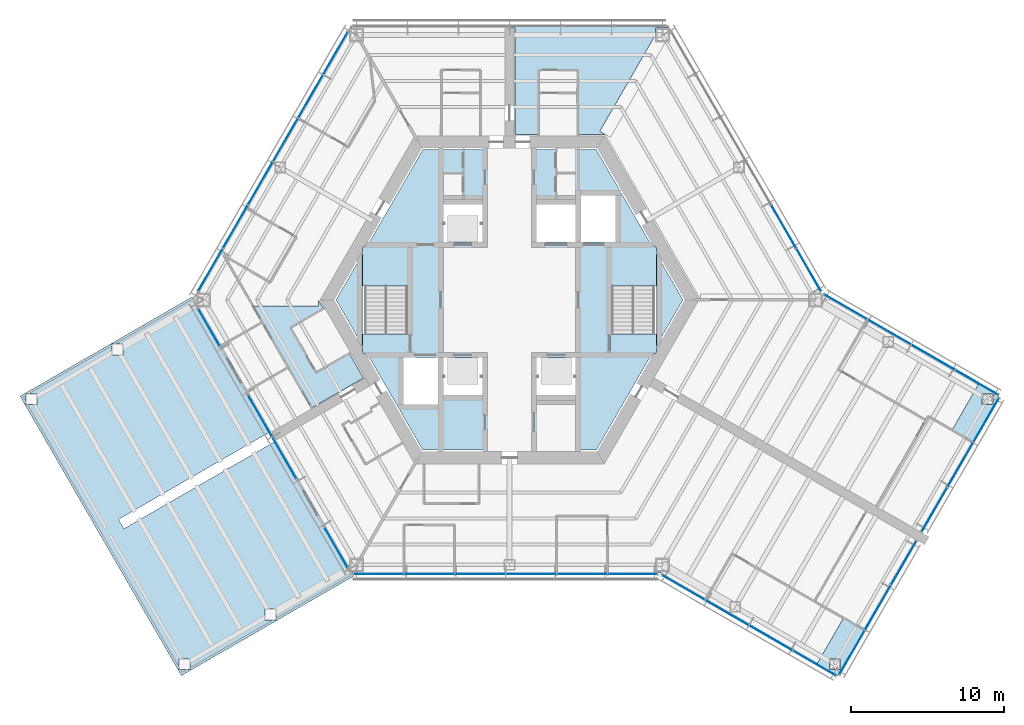
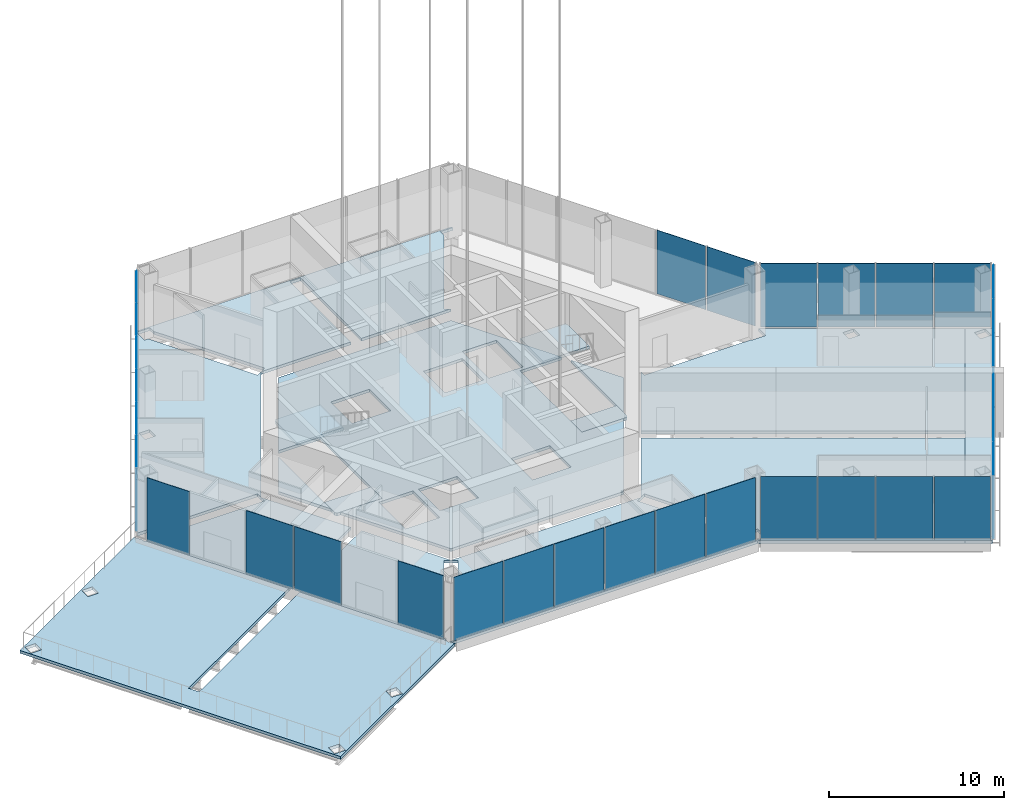
# One storey, part 6 of 17: 32 plates, 15 slabs, 12 elements without a shape of their own.
"""IFC4 building model written with IfcOpenShell, lengths in metres."""

from ifc_helpers import new_model, si_unit, direction, frame, origin, origin_2d, place, context, subcontext, project, spatial, polyline, rectangle, outline, extrude, material, layer, layer_set, type_object, element, aggregate, save


model = new_model("IFC4")

# Units and contexts
model_context = context("Model", 3, precision=1e-05, world=origin(), true_north=direction((0.0, 1.0)))
body_context = subcontext(model_context, "Body", "Model", "MODEL_VIEW")
ifc_project = project(units=[si_unit("LENGTHUNIT", "METRE"), si_unit("AREAUNIT", "SQUARE_METRE"), si_unit("VOLUMEUNIT", "CUBIC_METRE"), si_unit("PLANEANGLEUNIT", "RADIAN"), si_unit("MASSUNIT", "GRAM", prefix="KILO")], contexts=[model_context])

# Site, building, storey
site_placement = place(None, origin())
site = spatial("IfcSite", under=ifc_project, at=site_placement, CompositionType="ELEMENT")
building_placement = place(site_placement, origin())
building = spatial("IfcBuilding", under=site, at=building_placement, Name="Kasaneha Research Tower", CompositionType="ELEMENT")
storey_placement = place(building_placement, frame((0.0, 0.0, 208.300048828125)))
storey = spatial("IfcBuildingStorey", under=building, at=storey_placement, Name="L52", CompositionType="ELEMENT", Elevation=208.300048828125)

# Curtain wall, plates
ifc_material_1 = material(Name="Glass and aluminium", Category="aluminium")
curtain_wall_type = type_object("IfcCurtainWallType", Name="Sky lobby curtain wall", PredefinedType="USERDEFINED", material=ifc_material_1)
curtain_wall_1_placement = place(storey_placement, origin())
curtain_wall_1 = element("IfcCurtainWall", 1, at=curtain_wall_1_placement, inside=storey, type_object=curtain_wall_type, Name="CW-S L52 run 01a", ObjectType="UNITISED CURTAIN WALL", PredefinedType="USERDEFINED")
ifc_material_2 = material(Name="Laminated double glazing", Category="glass")
ifc_layer_1 = layer(ifc_material_2, 0.030029296875)
ifc_layer_set_1 = layer_set([ifc_layer_1], Name="CW-S glazed panel")
plate_type = type_object("IfcPlateType", Name="CW-S glazed panel", PredefinedType="CURTAIN_PANEL", material=ifc_layer_set_1)
plate_1_placement = place(storey_placement, frame((19.56103515625, 1.96044921875, 0.06982421875), z_axis=(0.0, 0.0, 1.0), x_axis=(-0.499999979232, 0.866025415775, 0.0)))
plate_1 = element("IfcPlate", 2, at=plate_1_placement, type_object=plate_type, Name="CW-S panel 1", PredefinedType="CURTAIN_PANEL", context=body_context, shape_type="SweptSolid", body=[
    extrude(rectangle(XDim=3.173095703125, YDim=0.030029296875, at=origin_2d()), origin(), (0.0, 0.0, 1.0), 4.429931640625),
])
plate_2_placement = place(storey_placement, frame((17.9306640625, 4.7841796875, 0.06982421875), z_axis=(0.0, 0.0, 1.0), x_axis=(-0.499999979232, 0.866025415775, 0.0)))
plate_2 = element("IfcPlate", 3, at=plate_2_placement, type_object=plate_type, Name="CW-S panel 2", PredefinedType="CURTAIN_PANEL", context=body_context, shape_type="SweptSolid", body=[
    extrude(rectangle(XDim=3.2080078125, YDim=0.030029296875, at=origin_2d()), origin(), (0.0, 0.0, 1.0), 4.429931640625),
])
aggregate(curtain_wall_1, [plate_1, plate_2])

curtain_wall_2_placement = place(storey_placement, origin())
curtain_wall_2 = element("IfcCurtainWall", 4, at=curtain_wall_2_placement, inside=storey, type_object=curtain_wall_type, Name="CW-S L52 run 03a", ObjectType="UNITISED CURTAIN WALL", PredefinedType="USERDEFINED")
plate_3_placement = place(storey_placement, frame((-11.3837890625, 16.1240234375, 0.06982421875), z_axis=(0.0, 0.0, 1.0), x_axis=(-0.499999995722, -0.866025406254, 0.0)))
plate_3 = element("IfcPlate", 5, at=plate_3_placement, type_object=plate_type, Name="CW-S panel 1", PredefinedType="CURTAIN_PANEL", context=body_context, shape_type="SweptSolid", body=[
    extrude(rectangle(XDim=3.173583984375, YDim=0.030029296875, at=origin_2d()), origin(), (0.0, 0.0, 1.0), 4.429931640625),
])
plate_4_placement = place(storey_placement, frame((-13.01416015625, 13.299560546875, 0.06982421875), z_axis=(0.0, 0.0, 1.0), x_axis=(-0.499999995722, -0.866025406254, 0.0)))
plate_4 = element("IfcPlate", 6, at=plate_4_placement, type_object=plate_type, Name="CW-S panel 2", PredefinedType="CURTAIN_PANEL", context=body_context, shape_type="SweptSolid", body=[
    extrude(rectangle(XDim=3.208740234375, YDim=0.030029296875, at=origin_2d()), origin(), (0.0, 0.0, 1.0), 4.429931640625),
])
plate_5_placement = place(storey_placement, frame((-14.653564453125, 10.460205078125, 0.06982421875), z_axis=(0.0, 0.0, 1.0), x_axis=(-0.499999995722, -0.866025406254, 0.0)))
plate_5 = element("IfcPlate", 7, at=plate_5_placement, type_object=plate_type, Name="CW-S panel 3", PredefinedType="CURTAIN_PANEL", context=body_context, shape_type="SweptSolid", body=[
    extrude(rectangle(XDim=3.208740234375, YDim=0.030029296875, at=origin_2d()), origin(), (0.0, 0.0, 1.0), 4.429931640625),
])
plate_6_placement = place(storey_placement, frame((-16.29296875, 7.620849609375, 0.06982421875), z_axis=(0.0, 0.0, 1.0), x_axis=(-0.499999995722, -0.866025406254, 0.0)))
plate_6 = element("IfcPlate", 8, at=plate_6_placement, type_object=plate_type, Name="CW-S panel 4", PredefinedType="CURTAIN_PANEL", context=body_context, shape_type="SweptSolid", body=[
    extrude(rectangle(XDim=3.208740234375, YDim=0.030029296875, at=origin_2d()), origin(), (0.0, 0.0, 1.0), 4.429931640625),
])
plate_7_placement = place(storey_placement, frame((-17.932373046875, 4.781494140625, 0.06982421875), z_axis=(0.0, 0.0, 1.0), x_axis=(-0.499999995722, -0.866025406254, 0.0)))
plate_7 = element("IfcPlate", 9, at=plate_7_placement, type_object=plate_type, Name="CW-S panel 5", PredefinedType="CURTAIN_PANEL", context=body_context, shape_type="SweptSolid", body=[
    extrude(rectangle(XDim=3.208740234375, YDim=0.030029296875, at=origin_2d()), origin(), (0.0, 0.0, 1.0), 4.429931640625),
])
plate_8_placement = place(storey_placement, frame((-19.562744140625, 1.957275390625, 0.06982421875), z_axis=(0.0, 0.0, 1.0), x_axis=(-0.499999995722, -0.866025406254, 0.0)))
plate_8 = element("IfcPlate", 10, at=plate_8_placement, type_object=plate_type, Name="CW-S panel 6", PredefinedType="CURTAIN_PANEL", context=body_context, shape_type="SweptSolid", body=[
    extrude(rectangle(XDim=3.173583984375, YDim=0.030029296875, at=origin_2d()), origin(), (0.0, 0.0, 1.0), 4.429931640625),
])
aggregate(curtain_wall_2, [plate_3, plate_4, plate_5, plate_6, plate_7, plate_8])

# Curtain wall, plate
curtain_wall_3_placement = place(storey_placement, origin())
curtain_wall_3 = element("IfcCurtainWall", 11, at=curtain_wall_3_placement, inside=storey, type_object=curtain_wall_type, Name="CW-S L52 run 04a", ObjectType="UNITISED CURTAIN WALL", PredefinedType="USERDEFINED")
plate_9_placement = place(storey_placement, frame((-19.655517578125, -1.796875, 0.06982421875), z_axis=(0.0, 0.0, 1.0), x_axis=(0.499999995722, -0.866025406254, 0.0)))
plate_9 = element("IfcPlate", 12, at=plate_9_placement, type_object=plate_type, Name="CW-S panel 1", PredefinedType="CURTAIN_PANEL", context=body_context, shape_type="SweptSolid", body=[
    extrude(rectangle(XDim=2.80322265625, YDim=0.030029296875, at=origin_2d()), origin(), (0.0, 0.0, 1.0), 4.429931640625),
])
aggregate(curtain_wall_3, [plate_9])

# Curtain wall, plates
curtain_wall_4_placement = place(storey_placement, origin())
curtain_wall_4 = element("IfcCurtainWall", 13, at=curtain_wall_4_placement, inside=storey, type_object=curtain_wall_type, Name="CW-S L52 run 04c", ObjectType="UNITISED CURTAIN WALL", PredefinedType="USERDEFINED")
plate_10_placement = place(storey_placement, frame((-16.310791015625, -7.58984375, 0.06982421875), z_axis=(0.0, 0.0, 1.0), x_axis=(0.499999995722, -0.866025406254, 0.0)))
plate_10 = element("IfcPlate", 14, at=plate_10_placement, type_object=plate_type, Name="CW-S panel 1", PredefinedType="CURTAIN_PANEL", context=body_context, shape_type="SweptSolid", body=[
    extrude(rectangle(XDim=3.094970703125, YDim=0.030029296875, at=origin_2d()), origin(), (0.0, 0.0, 1.0), 4.429931640625),
])
plate_11_placement = place(storey_placement, frame((-14.728271484375, -10.330810546875, 0.06982421875), z_axis=(0.0, 0.0, 1.0), x_axis=(0.499999995722, -0.866025406254, 0.0)))
plate_11 = element("IfcPlate", 15, at=plate_11_placement, type_object=plate_type, Name="CW-S panel 2", PredefinedType="CURTAIN_PANEL", context=body_context, shape_type="SweptSolid", body=[
    extrude(rectangle(XDim=3.094970703125, YDim=0.030029296875, at=origin_2d()), origin(), (0.0, 0.0, 1.0), 4.429931640625),
])
aggregate(curtain_wall_4, [plate_10, plate_11])

# Curtain wall, plate
curtain_wall_5_placement = place(storey_placement, origin())
curtain_wall_5 = element("IfcCurtainWall", 16, at=curtain_wall_5_placement, inside=storey, type_object=curtain_wall_type, Name="CW-S L52 run 04e", ObjectType="UNITISED CURTAIN WALL", PredefinedType="USERDEFINED")
plate_12_placement = place(storey_placement, frame((-11.33740234375, -16.2041015625, 0.06982421875), z_axis=(0.0, 0.0, 1.0), x_axis=(0.499999995722, -0.866025406254, 0.0)))
plate_12 = element("IfcPlate", 17, at=plate_12_placement, type_object=plate_type, Name="CW-S panel 1", PredefinedType="CURTAIN_PANEL", context=body_context, shape_type="SweptSolid", body=[
    extrude(rectangle(XDim=2.98876953125, YDim=0.030029296875, at=origin_2d()), origin(), (0.0, 0.0, 1.0), 4.429931640625),
])
aggregate(curtain_wall_5, [plate_12])

# Curtain wall, plates
curtain_wall_6_placement = place(storey_placement, origin())
curtain_wall_6 = element("IfcCurtainWall", 18, at=curtain_wall_6_placement, inside=storey, type_object=curtain_wall_type, Name="CW-S L52 run 05a", ObjectType="UNITISED CURTAIN WALL", PredefinedType="USERDEFINED")
plate_13_placement = place(storey_placement, frame((-8.5634765625, -17.92041015625, 0.06982421875), z_axis=(0.0, 0.0, 1.0), x_axis=(1.0, 0.0, 0.0)))
plate_13 = element("IfcPlate", 19, at=plate_13_placement, type_object=plate_type, Name="CW-S panel 1", PredefinedType="CURTAIN_PANEL", context=body_context, shape_type="SweptSolid", body=[
    extrude(rectangle(XDim=3.225830078125, YDim=0.030029296875, at=origin_2d()), origin(), (0.0, 0.0, 1.0), 4.429931640625),
])
plate_14_placement = place(storey_placement, frame((-5.25, -17.92041015625, 0.06982421875), z_axis=(0.0, 0.0, 1.0), x_axis=(1.0, 0.0, 0.0)))
plate_14 = element("IfcPlate", 20, at=plate_14_placement, type_object=plate_type, Name="CW-S panel 2", PredefinedType="CURTAIN_PANEL", context=body_context, shape_type="SweptSolid", body=[
    extrude(rectangle(XDim=3.260986328125, YDim=0.030029296875, at=origin_2d()), origin(), (0.0, 0.0, 1.0), 4.429931640625),
])
plate_15_placement = place(storey_placement, frame((-1.9189453125, -17.92041015625, 0.06982421875), z_axis=(0.0, 0.0, 1.0), x_axis=(1.0, 0.0, 0.0)))
plate_15 = element("IfcPlate", 21, at=plate_15_placement, type_object=plate_type, Name="CW-S panel 3", PredefinedType="CURTAIN_PANEL", context=body_context, shape_type="SweptSolid", body=[
    extrude(rectangle(XDim=3.260986328125, YDim=0.030029296875, at=origin_2d()), origin(), (0.0, 0.0, 1.0), 4.429931640625),
])
plate_16_placement = place(storey_placement, frame((1.411865234375, -17.92041015625, 0.06982421875), z_axis=(0.0, 0.0, 1.0), x_axis=(1.0, 0.0, 0.0)))
plate_16 = element("IfcPlate", 22, at=plate_16_placement, type_object=plate_type, Name="CW-S panel 4", PredefinedType="CURTAIN_PANEL", context=body_context, shape_type="SweptSolid", body=[
    extrude(rectangle(XDim=3.260986328125, YDim=0.030029296875, at=origin_2d()), origin(), (0.0, 0.0, 1.0), 4.429931640625),
])
plate_17_placement = place(storey_placement, frame((4.742919921875, -17.92041015625, 0.06982421875), z_axis=(0.0, 0.0, 1.0), x_axis=(1.0, 0.0, 0.0)))
plate_17 = element("IfcPlate", 23, at=plate_17_placement, type_object=plate_type, Name="CW-S panel 5", PredefinedType="CURTAIN_PANEL", context=body_context, shape_type="SweptSolid", body=[
    extrude(rectangle(XDim=3.260986328125, YDim=0.030029296875, at=origin_2d()), origin(), (0.0, 0.0, 1.0), 4.429931640625),
])
plate_18_placement = place(storey_placement, frame((8.05615234375, -17.92041015625, 0.06982421875), z_axis=(0.0, 0.0, 1.0), x_axis=(1.0, 0.0, 0.0)))
plate_18 = element("IfcPlate", 24, at=plate_18_placement, type_object=plate_type, Name="CW-S panel 6", PredefinedType="CURTAIN_PANEL", context=body_context, shape_type="SweptSolid", body=[
    extrude(rectangle(XDim=3.225830078125, YDim=0.030029296875, at=origin_2d()), origin(), (0.0, 0.0, 1.0), 4.429931640625),
])
aggregate(curtain_wall_6, [plate_13, plate_14, plate_15, plate_16, plate_17, plate_18])

curtain_wall_7_placement = place(storey_placement, origin())
curtain_wall_7 = element("IfcCurtainWall", 25, at=curtain_wall_7_placement, inside=storey, type_object=curtain_wall_type, Name="CW-S L52 run 06a", ObjectType="UNITISED CURTAIN WALL", PredefinedType="USERDEFINED")
plate_19_placement = place(storey_placement, frame((11.374267578125, -18.806640625, 0.06982421875), z_axis=(0.0, 0.0, 1.0), x_axis=(0.866025411464, -0.499999986699, 0.0)))
plate_19 = element("IfcPlate", 26, at=plate_19_placement, type_object=plate_type, Name="CW-S panel 1", PredefinedType="CURTAIN_PANEL", context=body_context, shape_type="SweptSolid", body=[
    extrude(rectangle(XDim=3.204833984375, YDim=0.030029296875, at=origin_2d()), origin(), (0.0, 0.0, 1.0), 4.429931640625),
])
plate_20_placement = place(storey_placement, frame((14.225341796875, -20.452880859375, 0.06982421875), z_axis=(0.0, 0.0, 1.0), x_axis=(0.866025411464, -0.499999986699, 0.0)))
plate_20 = element("IfcPlate", 27, at=plate_20_placement, type_object=plate_type, Name="CW-S panel 2", PredefinedType="CURTAIN_PANEL", context=body_context, shape_type="SweptSolid", body=[
    extrude(rectangle(XDim=3.23974609375, YDim=0.030029296875, at=origin_2d()), origin(), (0.0, 0.0, 1.0), 4.429931640625),
])
plate_21_placement = place(storey_placement, frame((17.091796875, -22.107666015625, 0.06982421875), z_axis=(0.0, 0.0, 1.0), x_axis=(0.866025411464, -0.499999986699, 0.0)))
plate_21 = element("IfcPlate", 28, at=plate_21_placement, type_object=plate_type, Name="CW-S panel 3", PredefinedType="CURTAIN_PANEL", context=body_context, shape_type="SweptSolid", body=[
    extrude(rectangle(XDim=3.23974609375, YDim=0.030029296875, at=origin_2d()), origin(), (0.0, 0.0, 1.0), 4.429931640625),
])
plate_22_placement = place(storey_placement, frame((19.943115234375, -23.75390625, 0.06982421875), z_axis=(0.0, 0.0, 1.0), x_axis=(0.866025411464, -0.499999986699, 0.0)))
plate_22 = element("IfcPlate", 29, at=plate_22_placement, type_object=plate_type, Name="CW-S panel 4", PredefinedType="CURTAIN_PANEL", context=body_context, shape_type="SweptSolid", body=[
    extrude(rectangle(XDim=3.204833984375, YDim=0.030029296875, at=origin_2d()), origin(), (0.0, 0.0, 1.0), 4.429931640625),
])
aggregate(curtain_wall_7, [plate_19, plate_20, plate_21, plate_22])

curtain_wall_8_placement = place(storey_placement, origin())
curtain_wall_8 = element("IfcCurtainWall", 30, at=curtain_wall_8_placement, inside=storey, type_object=curtain_wall_type, Name="CW-S L52 run 07a", ObjectType="UNITISED CURTAIN WALL", PredefinedType="USERDEFINED")
plate_23_placement = place(storey_placement, frame((22.38671875, -23.066162109375, 0.06982421875), z_axis=(0.0, 0.0, 1.0), x_axis=(0.500000011442, 0.866025397178, 0.0)))
plate_23 = element("IfcPlate", 31, at=plate_23_placement, type_object=plate_type, Name="CW-S panel 1", PredefinedType="CURTAIN_PANEL", context=body_context, shape_type="SweptSolid", body=[
    extrude(rectangle(XDim=3.294921875, YDim=0.030029296875, at=origin_2d()), origin(), (0.0, 0.0, 1.0), 4.429931640625),
])
plate_24_placement = place(storey_placement, frame((24.077880859375, -20.13671875, 0.06982421875), z_axis=(0.0, 0.0, 1.0), x_axis=(0.500000011442, 0.866025397178, 0.0)))
plate_24 = element("IfcPlate", 32, at=plate_24_placement, type_object=plate_type, Name="CW-S panel 2", PredefinedType="CURTAIN_PANEL", context=body_context, shape_type="SweptSolid", body=[
    extrude(rectangle(XDim=3.330078125, YDim=0.030029296875, at=origin_2d()), origin(), (0.0, 0.0, 1.0), 4.429931640625),
])
plate_25_placement = place(storey_placement, frame((25.769287109375, -17.20751953125, 0.06982421875), z_axis=(0.0, 0.0, 1.0), x_axis=(0.500000011442, 0.866025397178, 0.0)))
plate_25 = element("IfcPlate", 33, at=plate_25_placement, type_object=plate_type, Name="CW-S panel 3", PredefinedType="CURTAIN_PANEL", context=body_context, shape_type="SweptSolid", body=[
    extrude(rectangle(XDim=3.294921875, YDim=0.030029296875, at=origin_2d()), origin(), (0.0, 0.0, 1.0), 4.429931640625),
])
aggregate(curtain_wall_8, [plate_23, plate_24, plate_25])

curtain_wall_9_placement = place(storey_placement, origin())
curtain_wall_9 = element("IfcCurtainWall", 34, at=curtain_wall_9_placement, inside=storey, type_object=curtain_wall_type, Name="CW-S L52 run 08a", ObjectType="UNITISED CURTAIN WALL", PredefinedType="USERDEFINED")
plate_26_placement = place(storey_placement, frame((27.78662109375, -13.713134765625, 0.06982421875), z_axis=(0.0, 0.0, 1.0), x_axis=(0.500000011442, 0.866025397178, 0.0)))
plate_26 = element("IfcPlate", 35, at=plate_26_placement, type_object=plate_type, Name="CW-S panel 1", PredefinedType="CURTAIN_PANEL", context=body_context, shape_type="SweptSolid", body=[
    extrude(rectangle(XDim=3.294921875, YDim=0.030029296875, at=origin_2d()), origin(), (0.0, 0.0, 1.0), 4.429931640625),
])
plate_27_placement = place(storey_placement, frame((29.47802734375, -10.78369140625, 0.06982421875), z_axis=(0.0, 0.0, 1.0), x_axis=(0.500000011442, 0.866025397178, 0.0)))
plate_27 = element("IfcPlate", 36, at=plate_27_placement, type_object=plate_type, Name="CW-S panel 2", PredefinedType="CURTAIN_PANEL", context=body_context, shape_type="SweptSolid", body=[
    extrude(rectangle(XDim=3.330078125, YDim=0.030029296875, at=origin_2d()), origin(), (0.0, 0.0, 1.0), 4.429931640625),
])
plate_28_placement = place(storey_placement, frame((31.169189453125, -7.8544921875, 0.06982421875), z_axis=(0.0, 0.0, 1.0), x_axis=(0.500000011442, 0.866025397178, 0.0)))
plate_28 = element("IfcPlate", 37, at=plate_28_placement, type_object=plate_type, Name="CW-S panel 3", PredefinedType="CURTAIN_PANEL", context=body_context, shape_type="SweptSolid", body=[
    extrude(rectangle(XDim=3.294921875, YDim=0.030029296875, at=origin_2d()), origin(), (0.0, 0.0, 1.0), 4.429931640625),
])
aggregate(curtain_wall_9, [plate_26, plate_27, plate_28])

curtain_wall_10_placement = place(storey_placement, origin())
curtain_wall_10 = element("IfcCurtainWall", 38, at=curtain_wall_10_placement, inside=storey, type_object=curtain_wall_type, Name="CW-S L52 run 09a", ObjectType="UNITISED CURTAIN WALL", PredefinedType="USERDEFINED")
plate_29_placement = place(storey_placement, frame((30.54296875, -5.394287109375, 0.06982421875), z_axis=(0.0, 0.0, 1.0), x_axis=(-0.866025411464, 0.499999986699, 0.0)))
plate_29 = element("IfcPlate", 39, at=plate_29_placement, type_object=plate_type, Name="CW-S panel 1", PredefinedType="CURTAIN_PANEL", context=body_context, shape_type="SweptSolid", body=[
    extrude(rectangle(XDim=3.204833984375, YDim=0.030029296875, at=origin_2d()), origin(), (0.0, 0.0, 1.0), 4.429931640625),
])
plate_30_placement = place(storey_placement, frame((27.69189453125, -3.748046875, 0.06982421875), z_axis=(0.0, 0.0, 1.0), x_axis=(-0.866025411464, 0.499999986699, 0.0)))
plate_30 = element("IfcPlate", 40, at=plate_30_placement, type_object=plate_type, Name="CW-S panel 2", PredefinedType="CURTAIN_PANEL", context=body_context, shape_type="SweptSolid", body=[
    extrude(rectangle(XDim=3.23974609375, YDim=0.030029296875, at=origin_2d()), origin(), (0.0, 0.0, 1.0), 4.429931640625),
])
plate_31_placement = place(storey_placement, frame((24.825439453125, -2.093017578125, 0.06982421875), z_axis=(0.0, 0.0, 1.0), x_axis=(-0.866025411464, 0.499999986699, 0.0)))
plate_31 = element("IfcPlate", 41, at=plate_31_placement, type_object=plate_type, Name="CW-S panel 3", PredefinedType="CURTAIN_PANEL", context=body_context, shape_type="SweptSolid", body=[
    extrude(rectangle(XDim=3.23974609375, YDim=0.030029296875, at=origin_2d()), origin(), (0.0, 0.0, 1.0), 4.429931640625),
])
plate_32_placement = place(storey_placement, frame((21.97412109375, -0.447021484375, 0.06982421875), z_axis=(0.0, 0.0, 1.0), x_axis=(-0.866025411464, 0.499999986699, 0.0)))
plate_32 = element("IfcPlate", 42, at=plate_32_placement, type_object=plate_type, Name="CW-S panel 4", PredefinedType="CURTAIN_PANEL", context=body_context, shape_type="SweptSolid", body=[
    extrude(rectangle(XDim=3.204833984375, YDim=0.030029296875, at=origin_2d()), origin(), (0.0, 0.0, 1.0), 4.429931640625),
])
aggregate(curtain_wall_10, [plate_29, plate_30, plate_31, plate_32])

# Slabs
ifc_material_3 = material(Name="Concrete Fc24", Category="concrete")
ifc_layer_2 = layer(ifc_material_3, 0.199951171875)
ifc_layer_set_2 = layer_set([ifc_layer_2], Name="Core floor slab 200")
slab_type_1 = type_object("IfcSlabType", Name="Core floor slab 200", PredefinedType="FLOOR", material=ifc_layer_set_2)
slab_1_placement = place(storey_placement, frame((0.0, 0.0, -0.199951171875)))
element("IfcSlab", 43, at=slab_1_placement, inside=storey, type_object=slab_type_1, Name="Core slab L52", PredefinedType="FLOOR", context=body_context, shape_type="SweptSolid", body=[
    extrude(outline(polyline([(-11.344970703125, 0.0), (-9.625, 2.97900390625), (-9.625, -2.97900390625), (-11.344970703125, 0.0)])), origin(), (0.0, 0.0, 1.0), 0.199951171875),
])
slab_2_placement = place(storey_placement, frame((0.0, 0.0, -0.199951171875)))
element("IfcSlab", 44, at=slab_2_placement, inside=storey, type_object=slab_type_1, Name="Core slab L52", PredefinedType="FLOOR", context=body_context, shape_type="SweptSolid", body=[
    extrude(outline(polyline([(-5.67236328125, 9.824951171875), (5.67236328125, 9.824951171875), (9.309814453125, 3.52490234375), (6.574951171875, 3.52490234375), (6.574951171875, -3.52490234375), (9.309814453125, -3.52490234375), (5.67236328125, -9.824951171875), (-5.67236328125, -9.824951171875), (-9.309814453125, -3.52490234375), (-6.574951171875, -3.52490234375), (-6.574951171875, 3.52490234375), (-9.309814453125, 3.52490234375), (-5.67236328125, 9.824951171875)]), holes=[polyline([(-6.925048828125, -3.77490234375), (-6.925048828125, -6.824951171875), (-4.675048828125, -6.824951171875), (-4.675048828125, -3.77490234375), (-6.925048828125, -3.77490234375)]), polyline([(-4.324951171875, -3.77490234375), (-4.324951171875, -6.22509765625), (-1.77490234375, -6.22509765625), (-1.77490234375, -3.77490234375), (-4.324951171875, -3.77490234375)]), polyline([(1.77490234375, -3.77490234375), (1.77490234375, -6.22509765625), (4.324951171875, -6.22509765625), (4.324951171875, -3.77490234375), (1.77490234375, -3.77490234375)]), polyline([(-4.324951171875, 6.22509765625), (-4.324951171875, 3.77490234375), (-1.77490234375, 3.77490234375), (-1.77490234375, 6.22509765625), (-4.324951171875, 6.22509765625)]), polyline([(4.324951171875, 6.22509765625), (1.77490234375, 6.22509765625), (1.77490234375, 3.77490234375), (4.324951171875, 3.77490234375), (4.324951171875, 6.22509765625)]), polyline([(6.925048828125, 6.824951171875), (4.675048828125, 6.824951171875), (4.675048828125, 3.77490234375), (6.925048828125, 3.77490234375), (6.925048828125, 6.824951171875)])]), origin(), (0.0, 0.0, 1.0), 0.199951171875),
])
slab_3_placement = place(storey_placement, frame((0.0, 0.0, -0.199951171875)))
element("IfcSlab", 45, at=slab_3_placement, inside=storey, type_object=slab_type_1, Name="Core slab L52", PredefinedType="FLOOR", context=body_context, shape_type="SweptSolid", body=[
    extrude(outline(polyline([(11.344970703125, 0.0), (9.625, -2.97900390625), (9.625, 2.97900390625), (11.344970703125, 0.0)])), origin(), (0.0, 0.0, 1.0), 0.199951171875),
])
ifc_material_4 = material(Name="Concrete Fc24", Category="concrete")
ifc_layer_3 = layer(ifc_material_4, 0.199951171875)
ifc_layer_set_3 = layer_set([ifc_layer_3], Name="Floor slab 200")
slab_type_2 = type_object("IfcSlabType", Name="Floor slab 200", PredefinedType="FLOOR", material=ifc_layer_set_3)
slab_4_placement = place(storey_placement, frame((0.0, 0.0, -0.199951171875)))
element("IfcSlab", 46, at=slab_4_placement, inside=storey, type_object=slab_type_2, Name="Floor slab L52 1", PredefinedType="FLOOR", context=body_context, shape_type="SweptSolid", body=[
    extrude(outline(polyline([(-19.550048828125, -0.39990234375), (-12.49951171875, -0.39990234375), (-12.49951171875, 0.0), (-9.5498046875, -5.109375), (-15.6513671875, -8.632080078125), (-20.375244140625, -0.449951171875), (-19.550048828125, -0.449951171875), (-19.550048828125, -0.39990234375)])), origin(), (0.0, 0.0, 1.0), 0.199951171875),
])
slab_5_placement = place(storey_placement, frame((0.0, 0.0, -0.199951171875)))
element("IfcSlab", 47, at=slab_5_placement, inside=storey, type_object=slab_type_2, Name="Floor slab L52 2", PredefinedType="FLOOR", context=body_context, shape_type="SweptSolid", body=[
    extrude(outline(polyline([(-10.2021484375, 16.87060546875), (-6.59619140625, 10.625), (-6.249755859375, 10.824951171875), (-12.49951171875, 0.0), (-12.49951171875, 0.39990234375), (-19.550048828125, 0.39990234375), (-19.550048828125, 0.449951171875), (-20.375244140625, 0.449951171875), (-10.449951171875, 17.64111328125), (-10.449951171875, 16.87060546875), (-10.2021484375, 16.87060546875)]), holes=[polyline([(-15.35009765625, 9.01025390625), (-15.35009765625, 8.310302734375), (-14.64990234375, 8.310302734375), (-14.64990234375, 9.01025390625), (-15.35009765625, 9.01025390625)])]), origin(), (0.0, 0.0, 1.0), 0.199951171875),
])
slab_6_placement = place(storey_placement, frame((0.0, 0.0, -0.199951171875)))
element("IfcSlab", 48, at=slab_6_placement, inside=storey, type_object=slab_type_2, Name="Floor slab L52 3", PredefinedType="FLOOR", context=body_context, shape_type="SweptSolid", body=[
    extrude(outline(polyline([(-6.249755859375, -10.824951171875), (-6.59619140625, -10.625), (-10.2021484375, -16.87060546875), (-10.449951171875, -16.87060546875), (-10.449951171875, -17.64111328125), (-15.30126953125, -9.23828125), (-9.19970703125, -5.715576171875), (-6.249755859375, -10.824951171875)])), origin(), (0.0, 0.0, 1.0), 0.199951171875),
])
slab_7_placement = place(storey_placement, frame((0.0, 0.0, -0.199951171875)))
element("IfcSlab", 49, at=slab_7_placement, inside=storey, type_object=slab_type_2, Name="Floor slab L52 4", PredefinedType="FLOOR", context=body_context, shape_type="SweptSolid", body=[
    extrude(outline(polyline([(10.375244140625, 17.7705078125), (9.550048828125, 17.7705078125), (9.550048828125, 17.341064453125), (5.9033203125, 11.02490234375), (6.249755859375, 10.824951171875), (0.35009765625, 10.824951171875), (0.35009765625, 17.7705078125), (-0.35009765625, 17.7705078125), (-0.35009765625, 10.824951171875), (-6.249755859375, 10.824951171875), (-5.9033203125, 11.02490234375), (-9.550048828125, 17.341064453125), (-9.550048828125, 17.7705078125), (-10.375244140625, 17.7705078125), (-10.317626953125, 17.87060546875), (10.317626953125, 17.87060546875), (10.375244140625, 17.7705078125)])), origin(), (0.0, 0.0, 1.0), 0.199951171875),
])
slab_8_placement = place(storey_placement, frame((0.0, 0.0, -0.199951171875)))
element("IfcSlab", 50, at=slab_8_placement, inside=storey, type_object=slab_type_2, Name="Floor slab L52 5", PredefinedType="FLOOR", context=body_context, shape_type="SweptSolid", body=[
    extrude(outline(polyline([(-10.375244140625, -17.7705078125), (-9.550048828125, -17.7705078125), (-9.550048828125, -17.341064453125), (-5.9033203125, -11.02490234375), (-6.249755859375, -10.824951171875), (6.23828125, -10.824951171875), (6.2412109375, -10.829833984375), (5.9033203125, -11.02490234375), (9.5498046875, -17.341064453125), (9.5498046875, -17.7705078125), (10.4501953125, -17.7705078125), (10.4501953125, -16.870361328125), (10.2021484375, -16.870361328125), (6.59619140625, -10.624755859375), (6.258544921875, -10.81982421875), (6.255615234375, -10.81494140625), (9.19970703125, -5.715576171875), (25.208740234375, -14.958251953125), (20.108642578125, -23.791748046875), (9.8525390625, -17.87060546875), (-10.317626953125, -17.87060546875), (-10.375244140625, -17.7705078125)]), holes=[polyline([(-0.35009765625, -17.67041015625), (0.35009765625, -17.67041015625), (0.35009765625, -16.970458984375), (-0.35009765625, -16.970458984375), (-0.35009765625, -17.67041015625)]), polyline([(14.4130859375, -20.42041015625), (15.113037109375, -20.42041015625), (15.113037109375, -19.720458984375), (14.4130859375, -19.720458984375), (14.4130859375, -20.42041015625)])]), origin(), (0.0, 0.0, 1.0), 0.199951171875),
])
slab_9_placement = place(storey_placement, frame((0.0, 0.0, -0.199951171875)))
element("IfcSlab", 51, at=slab_9_placement, inside=storey, type_object=slab_type_2, Name="Floor slab L52 7", PredefinedType="FLOOR", context=body_context, shape_type="SweptSolid", body=[
    extrude(outline(polyline([(9.5498046875, -5.109375), (12.49951171875, 0.0), (12.49951171875, -0.39990234375), (19.550048828125, -0.39990234375), (19.550048828125, -0.449951171875), (20.449951171875, -0.449951171875), (20.449951171875, 0.375244140625), (30.65869140625, -5.518798828125), (25.55859375, -14.35205078125), (9.5498046875, -5.109375)]), holes=[polyline([(25.113037109375, -3.10009765625), (25.113037109375, -2.39990234375), (24.4130859375, -2.39990234375), (24.4130859375, -3.10009765625), (25.113037109375, -3.10009765625)])]), origin(), (0.0, 0.0, 1.0), 0.199951171875),
])
slab_10_placement = place(storey_placement, frame((0.0, 0.0, -0.199951171875)))
element("IfcSlab", 52, at=slab_10_placement, inside=storey, type_object=slab_type_2, Name="Floor slab L52 8", PredefinedType="FLOOR", context=body_context, shape_type="SweptSolid", body=[
    extrude(outline(polyline([(25.21728515625, -14.96337890625), (25.5673828125, -14.357177734375), (25.55859375, -14.35205078125), (30.65869140625, -5.518798828125), (32.009521484375, -6.298583984375), (21.459716796875, -24.57177734375), (20.108642578125, -23.791748046875), (25.208740234375, -14.958251953125), (25.21728515625, -14.96337890625)]), holes=[polyline([(20.908447265625, -24.17041015625), (21.6083984375, -24.17041015625), (21.6083984375, -23.470458984375), (20.908447265625, -23.470458984375), (20.908447265625, -24.17041015625)]), polyline([(30.908447265625, -6.85009765625), (31.6083984375, -6.85009765625), (31.6083984375, -6.14990234375), (30.908447265625, -6.14990234375), (30.908447265625, -6.85009765625)])]), origin(), (0.0, 0.0, 1.0), 0.199951171875),
])

# Stair, slabs
ifc_material_5 = material(Name="Concrete Fc24", Category="concrete")
stair_type = type_object("IfcStairType", Name="Half-turn stair 26 risers", PredefinedType="HALF_TURN_STAIR", material=ifc_material_5)
stair_1_placement = place(storey_placement, origin())
stair_1 = element("IfcStair", 53, at=stair_1_placement, inside=storey, type_object=stair_type, Name="Stair 1 L52", PredefinedType="HALF_TURN_STAIR")
ifc_material_6 = material(Name="Concrete Fc24", Category="concrete")
ifc_layer_4 = layer(ifc_material_6, 0.199951171875)
ifc_layer_set_4 = layer_set([ifc_layer_4], Name="Stair 1 landing 200")
slab_type_3 = type_object("IfcSlabType", Name="Stair 1 landing 200", PredefinedType="LANDING", material=ifc_layer_set_4)
slab_11_placement = place(storey_placement, frame((0.0, 0.0, -0.199951171875)))
slab_11 = element("IfcSlab", 54, at=slab_11_placement, type_object=slab_type_3, Name="ST1-26R landing 1", PredefinedType="LANDING", context=body_context, shape_type="SweptSolid", body=[
    extrude(outline(polyline([(9.540771484375, -3.52490234375), (6.574951171875, -3.52490234375), (6.574951171875, -2.22509765625), (9.625, -2.22509765625), (9.625, -3.37890625), (9.540771484375, -3.52490234375)])), origin(), (0.0, 0.0, 1.0), 0.199951171875),
])
slab_12_placement = place(storey_placement, frame((0.0, 0.0, 2.050048828125)))
slab_12 = element("IfcSlab", 55, at=slab_12_placement, type_object=slab_type_3, Name="ST1-26R landing 2", PredefinedType="LANDING", context=body_context, shape_type="SweptSolid", body=[
    extrude(outline(polyline([(6.574951171875, 3.52490234375), (9.540771484375, 3.52490234375), (9.625, 3.37890625), (9.625, 0.89501953125), (6.574951171875, 0.89501953125), (6.574951171875, 3.52490234375)])), origin(), (0.0, 0.0, 1.0), 0.199951171875),
])
aggregate(stair_1, [slab_11, slab_12])

stair_2_placement = place(storey_placement, origin())
stair_2 = element("IfcStair", 56, at=stair_2_placement, inside=storey, type_object=stair_type, Name="Stair 2 L52", PredefinedType="HALF_TURN_STAIR")
ifc_material_7 = material(Name="Concrete Fc24", Category="concrete")
ifc_layer_5 = layer(ifc_material_7, 0.199951171875)
ifc_layer_set_5 = layer_set([ifc_layer_5], Name="Stair 2 landing 200")
slab_type_4 = type_object("IfcSlabType", Name="Stair 2 landing 200", PredefinedType="LANDING", material=ifc_layer_set_5)
slab_13_placement = place(storey_placement, frame((0.0, 0.0, -0.199951171875)))
slab_13 = element("IfcSlab", 57, at=slab_13_placement, type_object=slab_type_4, Name="ST2-26R landing 1", PredefinedType="LANDING", context=body_context, shape_type="SweptSolid", body=[
    extrude(outline(polyline([(-6.574951171875, -3.52490234375), (-9.540771484375, -3.52490234375), (-9.625, -3.37890625), (-9.625, -2.22509765625), (-6.574951171875, -2.22509765625), (-6.574951171875, -3.52490234375)])), origin(), (0.0, 0.0, 1.0), 0.199951171875),
])
slab_14_placement = place(storey_placement, frame((0.0, 0.0, 2.050048828125)))
slab_14 = element("IfcSlab", 58, at=slab_14_placement, type_object=slab_type_4, Name="ST2-26R landing 2", PredefinedType="LANDING", context=body_context, shape_type="SweptSolid", body=[
    extrude(outline(polyline([(-6.574951171875, 0.89501953125), (-9.625, 0.89501953125), (-9.625, 3.37890625), (-9.540771484375, 3.52490234375), (-6.574951171875, 3.52490234375), (-6.574951171875, 0.89501953125)])), origin(), (0.0, 0.0, 1.0), 0.199951171875),
])
aggregate(stair_2, [slab_13, slab_14])

# Slab
ifc_material_8 = material(Name="Concrete Fc24", Category="concrete")
ifc_layer_6 = layer(ifc_material_8, 0.199951171875)
ifc_layer_set_6 = layer_set([ifc_layer_6], Name="Terrace slab 200")
slab_type_5 = type_object("IfcSlabType", Name="Terrace slab 200", PredefinedType="ROOF", material=ifc_layer_set_6)
slab_15_placement = place(storey_placement, frame((0.0, 0.0, -0.199951171875)))
element("IfcSlab", 59, at=slab_15_placement, inside=storey, type_object=slab_type_5, Name="Terrace B deck margin", PredefinedType="ROOF", context=body_context, shape_type="SweptSolid", body=[
    extrude(outline(polyline([(-21.459716796875, -24.57177734375), (-32.009521484375, -6.298583984375), (-20.751220703125, 0.201416015625), (-20.449951171875, -0.320556640625), (-20.449951171875, -0.449951171875), (-20.375244140625, -0.449951171875), (-15.6513671875, -8.632080078125), (-25.5673828125, -14.357177734375), (-25.21728515625, -14.96337890625), (-15.30126953125, -9.23828125), (-10.449951171875, -17.64111328125), (-10.449951171875, -17.7705078125), (-10.375244140625, -17.7705078125), (-10.201416015625, -18.07177734375), (-21.459716796875, -24.57177734375)]), holes=[polyline([(-20.908447265625, -23.470458984375), (-21.6083984375, -23.470458984375), (-21.6083984375, -24.17041015625), (-20.908447265625, -24.17041015625), (-20.908447265625, -23.470458984375)]), polyline([(-15.279052734375, -20.92041015625), (-15.279052734375, -20.220458984375), (-15.979248046875, -20.220458984375), (-15.979248046875, -20.92041015625), (-15.279052734375, -20.92041015625)]), polyline([(-30.908447265625, -6.14990234375), (-31.6083984375, -6.14990234375), (-31.6083984375, -6.85009765625), (-30.908447265625, -6.85009765625), (-30.908447265625, -6.14990234375)]), polyline([(-25.279052734375, -3.60009765625), (-25.279052734375, -2.89990234375), (-25.979248046875, -2.89990234375), (-25.979248046875, -3.60009765625), (-25.279052734375, -3.60009765625)])]), origin(), (0.0, 0.0, 1.0), 0.199951171875),
])

save(model, "model.ifc")
